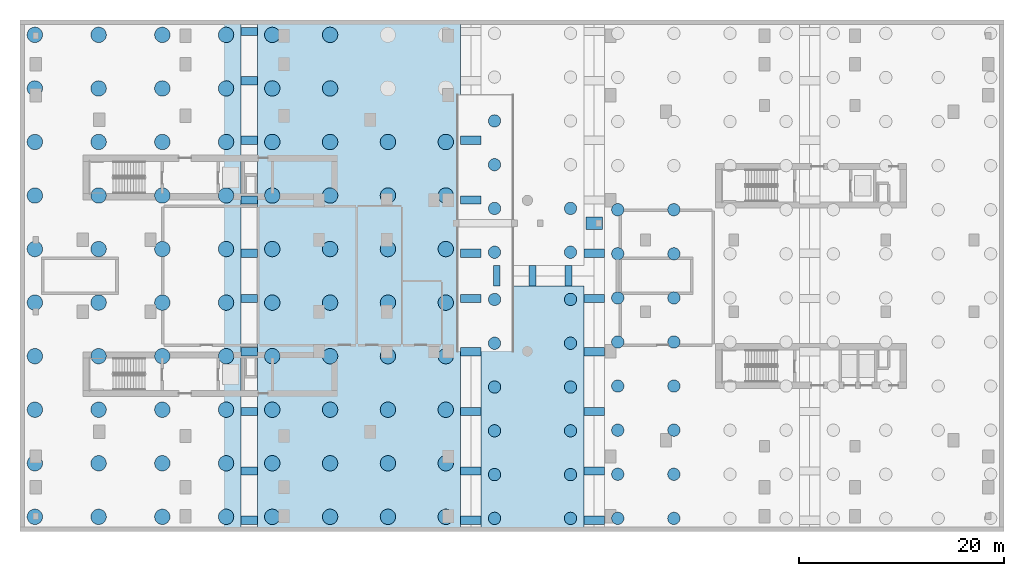
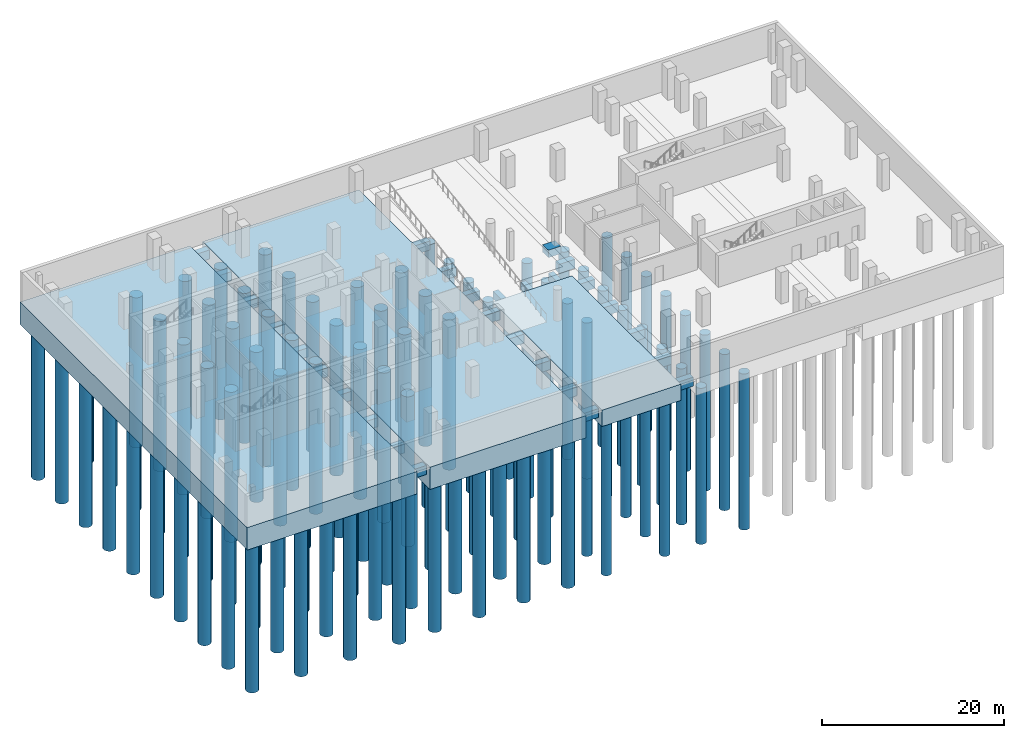
# One storey, part 1 of 14: 110 piles, 31 footings.
"""IFC4 building model written with IfcOpenShell, lengths in metres."""

from ifc_helpers import new_model, si_unit, derived_unit, direction, frame, origin, origin_2d, place, context, subcontext, project, spatial, polyline, circle, outline, extrude, material, material_profile, profile_set, type_object, element, save


model = new_model("IFC4")

# Units and contexts
model_context = context("Model", 3, precision=1e-05, world=origin(), true_north=direction((0.0, 1.0)))
body_context = subcontext(model_context, "Body", "Model", "MODEL_VIEW")
ifc_project = project(units=[si_unit("LENGTHUNIT", "METRE"), si_unit("AREAUNIT", "SQUARE_METRE"), si_unit("VOLUMEUNIT", "CUBIC_METRE"), si_unit("PLANEANGLEUNIT", "RADIAN"), si_unit("MASSUNIT", "GRAM", prefix="KILO"), derived_unit("THERMALTRANSMITTANCEUNIT", [(si_unit("POWERUNIT", "WATT"), 1), (si_unit("LENGTHUNIT", "METRE"), -2), (si_unit("THERMODYNAMICTEMPERATUREUNIT", "KELVIN"), -1)])], contexts=[model_context])

# Site, building, storey
site_placement = place(None, origin())
site = spatial("IfcSite", under=ifc_project, at=site_placement, CompositionType="ELEMENT")
building_placement = place(site_placement, origin())
building = spatial("IfcBuilding", under=site, at=building_placement, Name="Kivonza Crest Hotel", CompositionType="ELEMENT")
storey_placement = place(building_placement, frame((0.0, 0.0, -8.39990234375)))
storey = spatial("IfcBuildingStorey", under=building, at=storey_placement, Name="B2", CompositionType="ELEMENT", Elevation=-8.39990234375)

# Footings
ifc_material = material(Name="Concrete C40/50", Category="concrete")
footing_type_1 = type_object("IfcFootingType", Name="FT-CAP-2200", PredefinedType="PILE_CAP", material=ifc_material)
footing_1_placement = place(storey_placement, frame((0.0, 0.0, -2.2001953125)))
element("IfcFooting", 1, at=footing_1_placement, inside=storey, type_object=footing_type_1, Name="Podium South combined pile cap zone", PredefinedType="PILE_CAP", context=body_context, shape_type="SweptSolid", body=[
    extrude(outline(polyline([(45.0, 0.080078125), (55.0, 0.080078125), (55.0, 24.0), (45.0, 24.0), (45.0, 0.080078125)])), origin(), (0.0, 0.0, 1.0), 2.2001953125),
])
footing_type_2 = type_object("IfcFootingType", Name="FT-GB-650x1000", PredefinedType="FOOTING_BEAM", material=ifc_material)
footing_2_placement = place(storey_placement, frame((0.0, 0.0, -1.2001953125)))
element("IfcFooting", 2, at=footing_2_placement, inside=storey, type_object=footing_type_2, Name="Foundation ground tie beam GB-NS-41", PredefinedType="FOOTING_BEAM", context=body_context, shape_type="SweptSolid", body=[
    extrude(outline(polyline([(46.175048828125, 24.0), (46.824951171875, 24.0), (46.824951171875, 26.0), (46.175048828125, 26.0), (46.175048828125, 24.0)])), origin(), (0.0, 0.0, 1.0), 1.0),
])
footing_3_placement = place(storey_placement, frame((0.0, 0.0, -1.2001953125)))
element("IfcFooting", 3, at=footing_3_placement, inside=storey, type_object=footing_type_2, Name="Foundation ground tie beam GB-NS-42", PredefinedType="FOOTING_BEAM", context=body_context, shape_type="SweptSolid", body=[
    extrude(outline(polyline([(49.675048828125, 24.0), (50.324951171875, 24.0), (50.324951171875, 26.0), (49.675048828125, 26.0), (49.675048828125, 24.0)])), origin(), (0.0, 0.0, 1.0), 1.0),
])
footing_4_placement = place(storey_placement, frame((0.0, 0.0, -1.2001953125)))
element("IfcFooting", 4, at=footing_4_placement, inside=storey, type_object=footing_type_2, Name="Foundation ground tie beam GB-NS-43", PredefinedType="FOOTING_BEAM", context=body_context, shape_type="SweptSolid", body=[
    extrude(outline(polyline([(53.175048828125, 24.0), (53.824951171875, 24.0), (53.824951171875, 26.0), (53.175048828125, 26.0), (53.175048828125, 24.0)])), origin(), (0.0, 0.0, 1.0), 1.0),
])
footing_type_3 = type_object("IfcFootingType", Name="FT-GB-800x1200", PredefinedType="FOOTING_BEAM", material=ifc_material)
footing_5_placement = place(storey_placement, frame((0.0, 0.0, -1.400146484375)))
element("IfcFooting", 5, at=footing_5_placement, inside=storey, type_object=footing_type_3, Name="Foundation ground tie beam GB-EW-01", PredefinedType="FOOTING_BEAM", context=body_context, shape_type="SweptSolid", body=[
    extrude(outline(polyline([(21.60009765625, 0.800048828125), (23.199951171875, 0.800048828125), (23.199951171875, 1.60009765625), (21.60009765625, 1.60009765625), (21.60009765625, 0.800048828125)])), origin(), (0.0, 0.0, 1.0), 1.199951171875),
])
footing_6_placement = place(storey_placement, frame((0.0, 0.0, -1.400146484375)))
element("IfcFooting", 6, at=footing_6_placement, inside=storey, type_object=footing_type_3, Name="Foundation ground tie beam GB-EW-02", PredefinedType="FOOTING_BEAM", context=body_context, shape_type="SweptSolid", body=[
    extrude(outline(polyline([(21.60009765625, 5.60009765625), (23.199951171875, 5.60009765625), (23.199951171875, 6.39990234375), (21.60009765625, 6.39990234375), (21.60009765625, 5.60009765625)])), origin(), (0.0, 0.0, 1.0), 1.199951171875),
])
footing_7_placement = place(storey_placement, frame((0.0, 0.0, -1.400146484375)))
element("IfcFooting", 7, at=footing_7_placement, inside=storey, type_object=footing_type_3, Name="Foundation ground tie beam GB-EW-03", PredefinedType="FOOTING_BEAM", context=body_context, shape_type="SweptSolid", body=[
    extrude(outline(polyline([(21.60009765625, 11.39990234375), (23.199951171875, 11.39990234375), (23.199951171875, 12.199951171875), (21.60009765625, 12.199951171875), (21.60009765625, 11.39990234375)])), origin(), (0.0, 0.0, 1.0), 1.199951171875),
])
footing_8_placement = place(storey_placement, frame((0.0, 0.0, -1.400146484375)))
element("IfcFooting", 8, at=footing_8_placement, inside=storey, type_object=footing_type_3, Name="Foundation ground tie beam GB-EW-04", PredefinedType="FOOTING_BEAM", context=body_context, shape_type="SweptSolid", body=[
    extrude(outline(polyline([(21.60009765625, 17.199951171875), (23.199951171875, 17.199951171875), (23.199951171875, 18.0), (21.60009765625, 18.0), (21.60009765625, 17.199951171875)])), origin(), (0.0, 0.0, 1.0), 1.199951171875),
])
footing_9_placement = place(storey_placement, frame((0.0, 0.0, -1.400146484375)))
element("IfcFooting", 9, at=footing_9_placement, inside=storey, type_object=footing_type_3, Name="Foundation ground tie beam GB-EW-05", PredefinedType="FOOTING_BEAM", context=body_context, shape_type="SweptSolid", body=[
    extrude(outline(polyline([(21.60009765625, 22.39990234375), (23.199951171875, 22.39990234375), (23.199951171875, 23.199951171875), (21.60009765625, 23.199951171875), (21.60009765625, 22.39990234375)])), origin(), (0.0, 0.0, 1.0), 1.199951171875),
])
footing_10_placement = place(storey_placement, frame((0.0, 0.0, -1.400146484375)))
element("IfcFooting", 10, at=footing_10_placement, inside=storey, type_object=footing_type_3, Name="Foundation ground tie beam GB-EW-06", PredefinedType="FOOTING_BEAM", context=body_context, shape_type="SweptSolid", body=[
    extrude(outline(polyline([(21.60009765625, 26.800048828125), (23.199951171875, 26.800048828125), (23.199951171875, 27.60009765625), (21.60009765625, 27.60009765625), (21.60009765625, 26.800048828125)])), origin(), (0.0, 0.0, 1.0), 1.199951171875),
])
footing_11_placement = place(storey_placement, frame((0.0, 0.0, -1.400146484375)))
element("IfcFooting", 11, at=footing_11_placement, inside=storey, type_object=footing_type_3, Name="Foundation ground tie beam GB-EW-07", PredefinedType="FOOTING_BEAM", context=body_context, shape_type="SweptSolid", body=[
    extrude(outline(polyline([(21.60009765625, 32.0), (23.199951171875, 32.0), (23.199951171875, 32.800048828125), (21.60009765625, 32.800048828125), (21.60009765625, 32.0)])), origin(), (0.0, 0.0, 1.0), 1.199951171875),
])
footing_12_placement = place(storey_placement, frame((0.0, 0.0, -1.400146484375)))
element("IfcFooting", 12, at=footing_12_placement, inside=storey, type_object=footing_type_3, Name="Foundation ground tie beam GB-EW-08", PredefinedType="FOOTING_BEAM", context=body_context, shape_type="SweptSolid", body=[
    extrude(outline(polyline([(21.60009765625, 37.800048828125), (23.199951171875, 37.800048828125), (23.199951171875, 38.60009765625), (21.60009765625, 38.60009765625), (21.60009765625, 37.800048828125)])), origin(), (0.0, 0.0, 1.0), 1.199951171875),
])
footing_13_placement = place(storey_placement, frame((0.0, 0.0, -1.400146484375)))
element("IfcFooting", 13, at=footing_13_placement, inside=storey, type_object=footing_type_3, Name="Foundation ground tie beam GB-EW-09", PredefinedType="FOOTING_BEAM", context=body_context, shape_type="SweptSolid", body=[
    extrude(outline(polyline([(21.60009765625, 43.60009765625), (23.199951171875, 43.60009765625), (23.199951171875, 44.39990234375), (21.60009765625, 44.39990234375), (21.60009765625, 43.60009765625)])), origin(), (0.0, 0.0, 1.0), 1.199951171875),
])
footing_14_placement = place(storey_placement, frame((0.0, 0.0, -1.400146484375)))
element("IfcFooting", 14, at=footing_14_placement, inside=storey, type_object=footing_type_3, Name="Foundation ground tie beam GB-EW-10", PredefinedType="FOOTING_BEAM", context=body_context, shape_type="SweptSolid", body=[
    extrude(outline(polyline([(21.60009765625, 48.39990234375), (23.199951171875, 48.39990234375), (23.199951171875, 49.199951171875), (21.60009765625, 49.199951171875), (21.60009765625, 48.39990234375)])), origin(), (0.0, 0.0, 1.0), 1.199951171875),
])
footing_15_placement = place(storey_placement, frame((0.0, 0.0, -1.400146484375)))
element("IfcFooting", 15, at=footing_15_placement, inside=storey, type_object=footing_type_3, Name="Foundation ground tie beam GB-EW-11", PredefinedType="FOOTING_BEAM", context=body_context, shape_type="SweptSolid", body=[
    extrude(outline(polyline([(43.0, 0.800048828125), (45.0, 0.800048828125), (45.0, 1.60009765625), (43.0, 1.60009765625), (43.0, 0.800048828125)])), origin(), (0.0, 0.0, 1.0), 1.199951171875),
])
footing_16_placement = place(storey_placement, frame((0.0, 0.0, -1.400146484375)))
element("IfcFooting", 16, at=footing_16_placement, inside=storey, type_object=footing_type_3, Name="Foundation ground tie beam GB-EW-12", PredefinedType="FOOTING_BEAM", context=body_context, shape_type="SweptSolid", body=[
    extrude(outline(polyline([(43.0, 5.60009765625), (45.0, 5.60009765625), (45.0, 6.39990234375), (43.0, 6.39990234375), (43.0, 5.60009765625)])), origin(), (0.0, 0.0, 1.0), 1.199951171875),
])
footing_17_placement = place(storey_placement, frame((0.0, 0.0, -1.400146484375)))
element("IfcFooting", 17, at=footing_17_placement, inside=storey, type_object=footing_type_3, Name="Foundation ground tie beam GB-EW-13", PredefinedType="FOOTING_BEAM", context=body_context, shape_type="SweptSolid", body=[
    extrude(outline(polyline([(43.0, 11.39990234375), (45.0, 11.39990234375), (45.0, 12.199951171875), (43.0, 12.199951171875), (43.0, 11.39990234375)])), origin(), (0.0, 0.0, 1.0), 1.199951171875),
])
footing_18_placement = place(storey_placement, frame((0.0, 0.0, -1.400146484375)))
element("IfcFooting", 18, at=footing_18_placement, inside=storey, type_object=footing_type_3, Name="Foundation ground tie beam GB-EW-14", PredefinedType="FOOTING_BEAM", context=body_context, shape_type="SweptSolid", body=[
    extrude(outline(polyline([(43.0, 17.199951171875), (45.0, 17.199951171875), (45.0, 18.0), (43.0, 18.0), (43.0, 17.199951171875)])), origin(), (0.0, 0.0, 1.0), 1.199951171875),
])
footing_19_placement = place(storey_placement, frame((0.0, 0.0, -1.400146484375)))
element("IfcFooting", 19, at=footing_19_placement, inside=storey, type_object=footing_type_3, Name="Foundation ground tie beam GB-EW-15", PredefinedType="FOOTING_BEAM", context=body_context, shape_type="SweptSolid", body=[
    extrude(outline(polyline([(43.0, 22.39990234375), (45.0, 22.39990234375), (45.0, 23.199951171875), (43.0, 23.199951171875), (43.0, 22.39990234375)])), origin(), (0.0, 0.0, 1.0), 1.199951171875),
])
footing_20_placement = place(storey_placement, frame((0.0, 0.0, -1.400146484375)))
element("IfcFooting", 20, at=footing_20_placement, inside=storey, type_object=footing_type_3, Name="Foundation ground tie beam GB-EW-16", PredefinedType="FOOTING_BEAM", context=body_context, shape_type="SweptSolid", body=[
    extrude(outline(polyline([(43.0, 26.800048828125), (45.0, 26.800048828125), (45.0, 27.60009765625), (43.0, 27.60009765625), (43.0, 26.800048828125)])), origin(), (0.0, 0.0, 1.0), 1.199951171875),
])
footing_21_placement = place(storey_placement, frame((0.0, 0.0, -1.400146484375)))
element("IfcFooting", 21, at=footing_21_placement, inside=storey, type_object=footing_type_3, Name="Foundation ground tie beam GB-EW-17", PredefinedType="FOOTING_BEAM", context=body_context, shape_type="SweptSolid", body=[
    extrude(outline(polyline([(43.0, 32.0), (45.0, 32.0), (45.0, 32.800048828125), (43.0, 32.800048828125), (43.0, 32.0)])), origin(), (0.0, 0.0, 1.0), 1.199951171875),
])
footing_22_placement = place(storey_placement, frame((0.0, 0.0, -1.400146484375)))
element("IfcFooting", 22, at=footing_22_placement, inside=storey, type_object=footing_type_3, Name="Foundation ground tie beam GB-EW-18", PredefinedType="FOOTING_BEAM", context=body_context, shape_type="SweptSolid", body=[
    extrude(outline(polyline([(43.0, 37.800048828125), (45.0, 37.800048828125), (45.0, 38.60009765625), (43.0, 38.60009765625), (43.0, 37.800048828125)])), origin(), (0.0, 0.0, 1.0), 1.199951171875),
])
footing_23_placement = place(storey_placement, frame((0.0, 0.0, -1.400146484375)))
element("IfcFooting", 23, at=footing_23_placement, inside=storey, type_object=footing_type_3, Name="Foundation ground tie beam GB-EW-21", PredefinedType="FOOTING_BEAM", context=body_context, shape_type="SweptSolid", body=[
    extrude(outline(polyline([(55.0, 0.800048828125), (57.0, 0.800048828125), (57.0, 1.60009765625), (55.0, 1.60009765625), (55.0, 0.800048828125)])), origin(), (0.0, 0.0, 1.0), 1.199951171875),
])
footing_24_placement = place(storey_placement, frame((0.0, 0.0, -1.400146484375)))
element("IfcFooting", 24, at=footing_24_placement, inside=storey, type_object=footing_type_3, Name="Foundation ground tie beam GB-EW-22", PredefinedType="FOOTING_BEAM", context=body_context, shape_type="SweptSolid", body=[
    extrude(outline(polyline([(55.0, 5.60009765625), (57.0, 5.60009765625), (57.0, 6.39990234375), (55.0, 6.39990234375), (55.0, 5.60009765625)])), origin(), (0.0, 0.0, 1.0), 1.199951171875),
])
footing_25_placement = place(storey_placement, frame((0.0, 0.0, -1.400146484375)))
element("IfcFooting", 25, at=footing_25_placement, inside=storey, type_object=footing_type_3, Name="Foundation ground tie beam GB-EW-23", PredefinedType="FOOTING_BEAM", context=body_context, shape_type="SweptSolid", body=[
    extrude(outline(polyline([(55.0, 11.39990234375), (57.0, 11.39990234375), (57.0, 12.199951171875), (55.0, 12.199951171875), (55.0, 11.39990234375)])), origin(), (0.0, 0.0, 1.0), 1.199951171875),
])
footing_26_placement = place(storey_placement, frame((0.0, 0.0, -1.400146484375)))
element("IfcFooting", 26, at=footing_26_placement, inside=storey, type_object=footing_type_3, Name="Foundation ground tie beam GB-EW-24", PredefinedType="FOOTING_BEAM", context=body_context, shape_type="SweptSolid", body=[
    extrude(outline(polyline([(55.0, 17.199951171875), (57.0, 17.199951171875), (57.0, 18.0), (55.0, 18.0), (55.0, 17.199951171875)])), origin(), (0.0, 0.0, 1.0), 1.199951171875),
])
footing_27_placement = place(storey_placement, frame((0.0, 0.0, -1.400146484375)))
element("IfcFooting", 27, at=footing_27_placement, inside=storey, type_object=footing_type_3, Name="Foundation ground tie beam GB-EW-25", PredefinedType="FOOTING_BEAM", context=body_context, shape_type="SweptSolid", body=[
    extrude(outline(polyline([(55.0, 22.39990234375), (57.0, 22.39990234375), (57.0, 23.199951171875), (55.0, 23.199951171875), (55.0, 22.39990234375)])), origin(), (0.0, 0.0, 1.0), 1.199951171875),
])
footing_28_placement = place(storey_placement, frame((0.0, 0.0, -1.400146484375)))
element("IfcFooting", 28, at=footing_28_placement, inside=storey, type_object=footing_type_3, Name="Foundation ground tie beam GB-EW-26", PredefinedType="FOOTING_BEAM", context=body_context, shape_type="SweptSolid", body=[
    extrude(outline(polyline([(55.0, 26.800048828125), (57.0, 26.800048828125), (57.0, 27.60009765625), (55.0, 27.60009765625), (55.0, 26.800048828125)])), origin(), (0.0, 0.0, 1.0), 1.199951171875),
])
footing_type_4 = type_object("IfcFootingType", Name="FT-PAD-1200", PredefinedType="PAD_FOOTING", material=ifc_material)
footing_29_placement = place(storey_placement, frame((0.0, 0.0, -1.0)))
element("IfcFooting", 29, at=footing_29_placement, inside=storey, type_object=footing_type_4, Name="Car park ramp east pier pad footing", PredefinedType="PAD_FOOTING", context=body_context, shape_type="SweptSolid", body=[
    extrude(outline(polyline([(55.199951171875, 29.5), (56.800048828125, 29.5), (56.800048828125, 30.75), (55.199951171875, 30.75), (55.199951171875, 29.5)])), origin(), (0.0, 0.0, 1.0), 1.0),
])
footing_type_5 = type_object("IfcFootingType", Name="FT-RAFT-3000", PredefinedType="PILE_CAP", material=ifc_material)
footing_30_placement = place(storey_placement, frame((0.0, 0.0, -3.0)))
element("IfcFooting", 30, at=footing_30_placement, inside=storey, type_object=footing_type_5, Name="T1 West piled raft foundation zone", PredefinedType="PILE_CAP", context=body_context, shape_type="SweptSolid", body=[
    extrude(outline(polyline([(0.080078125, 0.080078125), (21.60009765625, 0.080078125), (21.60009765625, 49.919921875), (0.080078125, 49.919921875), (0.080078125, 0.080078125)])), origin(), (0.0, 0.0, 1.0), 3.0),
])
footing_31_placement = place(storey_placement, frame((0.0, 0.0, -3.0)))
element("IfcFooting", 31, at=footing_31_placement, inside=storey, type_object=footing_type_5, Name="T1 East piled raft foundation zone", PredefinedType="PILE_CAP", context=body_context, shape_type="SweptSolid", body=[
    extrude(outline(polyline([(23.199951171875, 0.080078125), (43.0, 0.080078125), (43.0, 49.919921875), (23.199951171875, 49.919921875), (23.199951171875, 0.080078125)])), origin(), (0.0, 0.0, 1.0), 3.0),
])

# Piles
ifc_material_profile_1 = material_profile(ifc_material, circle(Radius=0.60009765625, at=origin_2d()), Name="PILE D1200")
ifc_profile_set_1 = profile_set([ifc_material_profile_1], Name="Concrete C40/50")
pile_type_1 = type_object("IfcPileType", Name="PL-BORED-1200", PredefinedType="BORED", material=ifc_profile_set_1)
for number, where, z_axis, x_axis, name in (
    (32, (46.300048828125, 1.3798828125, -2.10009765625), (0.0, 0.0, -1.0), (1.0, 0.0, 0.0), "Bored pile PL-MIDS-001 under FT-B2-MIDS"),
    (33, (46.300048828125, 5.64404296875, -2.10009765625), (0.0, 0.0, -1.0), (1.0, 0.0, 0.0), "Bored pile PL-MIDS-002 under FT-B2-MIDS"),
    (34, (46.300048828125, 9.907958984375, -2.10009765625), (0.0, 0.0, -1.0), (1.0, 0.0, 0.0), "Bored pile PL-MIDS-003 under FT-B2-MIDS"),
    (35, (46.300048828125, 14.172119140625, -2.10009765625), (0.0, 0.0, -1.0), (1.0, 0.0, 0.0), "Bored pile PL-MIDS-004 under FT-B2-MIDS"),
    (36, (46.300048828125, 18.43603515625, -2.10009765625), (0.0, 0.0, -1.0), (1.0, 0.0, 0.0), "Bored pile PL-MIDS-005 under FT-B2-MIDS"),
    (37, (46.300048828125, 22.699951171875, -2.10009765625), (0.0, 0.0, -1.0), (1.0, 0.0, 0.0), "Bored pile PL-MIDS-006 under FT-B2-MIDS"),
    (38, (53.699951171875, 1.3798828125, -2.10009765625), (0.0, 0.0, -1.0), (1.0, 0.0, 0.0), "Bored pile PL-MIDS-007 under FT-B2-MIDS"),
    (39, (53.699951171875, 5.64404296875, -2.10009765625), (0.0, 0.0, -1.0), (1.0, 0.0, 0.0), "Bored pile PL-MIDS-008 under FT-B2-MIDS"),
    (40, (53.699951171875, 9.907958984375, -2.10009765625), (0.0, 0.0, -1.0), (1.0, 0.0, 0.0), "Bored pile PL-MIDS-009 under FT-B2-MIDS"),
    (41, (53.699951171875, 14.172119140625, -2.10009765625), (0.0, 0.0, -1.0), (1.0, 0.0, 0.0), "Bored pile PL-MIDS-010 under FT-B2-MIDS"),
    (42, (53.699951171875, 18.43603515625, -2.10009765625), (0.0, 0.0, -1.0), (1.0, 0.0, 0.0), "Bored pile PL-MIDS-011 under FT-B2-MIDS"),
    (43, (53.699951171875, 22.699951171875, -2.10009765625), (0.0, 0.0, -1.0), (1.0, 0.0, 0.0), "Bored pile PL-MIDS-012 under FT-B2-MIDS"),
    (44, (46.300048828125, 27.300048828125, -2.10009765625), (0.0, 0.0, -1.0), (1.0, 0.0, 0.0), "Bored pile PL-MIDN-001 under FT-B2-MIDN"),
    (45, (46.300048828125, 31.56396484375, -2.10009765625), (0.0, 0.0, -1.0), (1.0, 0.0, 0.0), "Bored pile PL-MIDN-002 under FT-B2-MIDN"),
    (46, (46.300048828125, 35.827880859375, -2.10009765625), (0.0, 0.0, -1.0), (1.0, 0.0, 0.0), "Bored pile PL-MIDN-003 under FT-B2-MIDN"),
    (47, (46.300048828125, 40.092041015625, -2.10009765625), (0.0, 0.0, -1.0), (1.0, 0.0, 0.0), "Bored pile PL-MIDN-004 under FT-B2-MIDN"),
    (48, (53.699951171875, 27.300048828125, -2.10009765625), (0.0, 0.0, -1.0), (1.0, 0.0, 0.0), "Bored pile PL-MIDN-007 under FT-B2-MIDN"),
    (49, (53.699951171875, 31.56396484375, -2.10009765625), (0.0, 0.0, -1.0), (1.0, 0.0, 0.0), "Bored pile PL-MIDN-008 under FT-B2-MIDN"),
    (50, (58.300048828125, 1.3798828125, -2.10009765625), (0.0, 0.0, -1.0), (1.0, 0.0, 0.0), "Bored pile PL-T2W-001 under FT-B2-T2W"),
    (51, (58.300048828125, 5.675048828125, -2.10009765625), (0.0, 0.0, -1.0), (1.0, 0.0, 0.0), "Bored pile PL-T2W-002 under FT-B2-T2W"),
    (52, (58.300048828125, 9.968994140625, -2.10009765625), (0.0, 0.0, -1.0), (1.0, 0.0, 0.0), "Bored pile PL-T2W-003 under FT-B2-T2W"),
    (53, (58.300048828125, 14.263916015625, -2.10009765625), (0.0, 0.0, -1.0), (1.0, 0.0, 0.0), "Bored pile PL-T2W-004 under FT-B2-T2W"),
    (54, (58.300048828125, 18.55810546875, -2.10009765625), (0.0, 0.0, -1.0), (1.0, 0.0, 0.0), "Bored pile PL-T2W-005 under FT-B2-T2W"),
    (55, (58.300048828125, 22.85302734375, -2.10009765625), (0.0, 0.0, -1.0), (1.0, 0.0, 0.0), "Bored pile PL-T2W-006 under FT-B2-T2W"),
    (56, (58.300048828125, 27.14697265625, -2.10009765625), (0.0, 0.0, -1.0), (1.0, 0.0, 0.0), "Bored pile PL-T2W-007 under FT-B2-T2W"),
    (57, (58.300048828125, 31.44189453125, -2.10009765625), (0.0, 0.0, -1.0), (1.0, 0.0, 0.0), "Bored pile PL-T2W-008 under FT-B2-T2W"),
    (58, (63.76708984375, 1.3798828125, -2.10009765625), (0.0, 0.0, -1.0), (1.0, 0.0, 0.0), "Bored pile PL-T2W-013 under FT-B2-T2W"),
    (59, (63.76708984375, 5.675048828125, -2.10009765625), (0.0, 0.0, -1.0), (1.0, 0.0, 0.0), "Bored pile PL-T2W-014 under FT-B2-T2W"),
    (60, (63.76708984375, 9.968994140625, -2.10009765625), (0.0, 0.0, -1.0), (1.0, 0.0, 0.0), "Bored pile PL-T2W-015 under FT-B2-T2W"),
    (61, (63.76708984375, 14.263916015625, -2.10009765625), (0.0, 0.0, -1.0), (1.0, 0.0, 0.0), "Bored pile PL-T2W-016 under FT-B2-T2W"),
    (62, (63.76708984375, 18.55810546875, -2.10009765625), (0.0, 0.0, -1.0), (1.0, 0.0, 0.0), "Bored pile PL-T2W-017 under FT-B2-T2W"),
    (63, (63.76708984375, 22.85302734375, -2.10009765625), (0.0, 0.0, -1.0), (1.0, 0.0, 0.0), "Bored pile PL-T2W-018 under FT-B2-T2W"),
    (64, (63.76708984375, 27.14697265625, -2.10009765625), (0.0, 0.0, -1.0), (1.0, 0.0, 0.0), "Bored pile PL-T2W-019 under FT-B2-T2W"),
    (65, (63.76708984375, 31.44189453125, -2.10009765625), (0.0, 0.0, -1.0), (1.0, 0.0, 0.0), "Bored pile PL-T2W-020 under FT-B2-T2W"),
):
    element("IfcPile", number, at=place(storey_placement, frame(where, z_axis=z_axis, x_axis=x_axis)), inside=storey, type_object=pile_type_1, Name=name, PredefinedType="BORED", context=body_context, shape_type="SweptSolid", body=[
        extrude(circle(Radius=0.60009765625, at=origin_2d()), origin(), (0.0, 0.0, 1.0), 20.89990234375),
    ])
ifc_material_profile_2 = material_profile(ifc_material, circle(Radius=0.75, at=origin_2d()), Name="PILE D1500")
ifc_profile_set_2 = profile_set([ifc_material_profile_2], Name="Concrete C40/50")
pile_type_2 = type_object("IfcPileType", Name="PL-BORED-1500", PredefinedType="BORED", material=ifc_profile_set_2)
for number, where, z_axis, x_axis, name in (
    (66, (1.530029296875, 1.530029296875, -2.900146484375), (0.0, 0.0, -1.0), (1.0, 0.0, 0.0), "Bored pile PL-T1W-001 under FT-B2-T1W"),
    (67, (1.530029296875, 6.74609375, -2.900146484375), (0.0, 0.0, -1.0), (1.0, 0.0, 0.0), "Bored pile PL-T1W-002 under FT-B2-T1W"),
    (68, (1.530029296875, 11.9609375, -2.900146484375), (0.0, 0.0, -1.0), (1.0, 0.0, 0.0), "Bored pile PL-T1W-003 under FT-B2-T1W"),
    (69, (1.530029296875, 17.177001953125, -2.900146484375), (0.0, 0.0, -1.0), (1.0, 0.0, 0.0), "Bored pile PL-T1W-004 under FT-B2-T1W"),
    (70, (1.530029296875, 22.39208984375, -2.900146484375), (0.0, 0.0, -1.0), (1.0, 0.0, 0.0), "Bored pile PL-T1W-005 under FT-B2-T1W"),
    (71, (1.530029296875, 27.60791015625, -2.900146484375), (0.0, 0.0, -1.0), (1.0, 0.0, 0.0), "Bored pile PL-T1W-006 under FT-B2-T1W"),
    (72, (1.530029296875, 32.822998046875, -2.900146484375), (0.0, 0.0, -1.0), (1.0, 0.0, 0.0), "Bored pile PL-T1W-007 under FT-B2-T1W"),
    (73, (1.530029296875, 38.0390625, -2.900146484375), (0.0, 0.0, -1.0), (1.0, 0.0, 0.0), "Bored pile PL-T1W-008 under FT-B2-T1W"),
    (74, (1.530029296875, 43.25390625, -2.900146484375), (0.0, 0.0, -1.0), (1.0, 0.0, 0.0), "Bored pile PL-T1W-009 under FT-B2-T1W"),
    (75, (1.530029296875, 48.469970703125, -2.900146484375), (0.0, 0.0, -1.0), (1.0, 0.0, 0.0), "Bored pile PL-T1W-010 under FT-B2-T1W"),
    (76, (7.737060546875, 1.530029296875, -2.900146484375), (0.0, 0.0, -1.0), (1.0, 0.0, 0.0), "Bored pile PL-T1W-011 under FT-B2-T1W"),
    (77, (7.737060546875, 6.74609375, -2.900146484375), (0.0, 0.0, -1.0), (1.0, 0.0, 0.0), "Bored pile PL-T1W-012 under FT-B2-T1W"),
    (78, (7.737060546875, 11.9609375, -2.900146484375), (0.0, 0.0, -1.0), (1.0, 0.0, 0.0), "Bored pile PL-T1W-013 under FT-B2-T1W"),
    (79, (7.737060546875, 17.177001953125, -2.900146484375), (0.0, 0.0, -1.0), (1.0, 0.0, 0.0), "Bored pile PL-T1W-014 under FT-B2-T1W"),
    (80, (7.737060546875, 22.39208984375, -2.900146484375), (0.0, 0.0, -1.0), (1.0, 0.0, 0.0), "Bored pile PL-T1W-015 under FT-B2-T1W"),
    (81, (7.737060546875, 27.60791015625, -2.900146484375), (0.0, 0.0, -1.0), (1.0, 0.0, 0.0), "Bored pile PL-T1W-016 under FT-B2-T1W"),
    (82, (7.737060546875, 32.822998046875, -2.900146484375), (0.0, 0.0, -1.0), (1.0, 0.0, 0.0), "Bored pile PL-T1W-017 under FT-B2-T1W"),
    (83, (7.737060546875, 38.0390625, -2.900146484375), (0.0, 0.0, -1.0), (1.0, 0.0, 0.0), "Bored pile PL-T1W-018 under FT-B2-T1W"),
    (84, (7.737060546875, 43.25390625, -2.900146484375), (0.0, 0.0, -1.0), (1.0, 0.0, 0.0), "Bored pile PL-T1W-019 under FT-B2-T1W"),
    (85, (7.737060546875, 48.469970703125, -2.900146484375), (0.0, 0.0, -1.0), (1.0, 0.0, 0.0), "Bored pile PL-T1W-020 under FT-B2-T1W"),
    (86, (13.943115234375, 1.530029296875, -2.900146484375), (0.0, 0.0, -1.0), (1.0, 0.0, 0.0), "Bored pile PL-T1W-021 under FT-B2-T1W"),
    (87, (13.943115234375, 6.74609375, -2.900146484375), (0.0, 0.0, -1.0), (1.0, 0.0, 0.0), "Bored pile PL-T1W-022 under FT-B2-T1W"),
    (88, (13.943115234375, 11.9609375, -2.900146484375), (0.0, 0.0, -1.0), (1.0, 0.0, 0.0), "Bored pile PL-T1W-023 under FT-B2-T1W"),
    (89, (13.943115234375, 17.177001953125, -2.900146484375), (0.0, 0.0, -1.0), (1.0, 0.0, 0.0), "Bored pile PL-T1W-024 under FT-B2-T1W"),
    (90, (13.943115234375, 22.39208984375, -2.900146484375), (0.0, 0.0, -1.0), (1.0, 0.0, 0.0), "Bored pile PL-T1W-025 under FT-B2-T1W"),
    (91, (13.943115234375, 27.60791015625, -2.900146484375), (0.0, 0.0, -1.0), (1.0, 0.0, 0.0), "Bored pile PL-T1W-026 under FT-B2-T1W"),
    (92, (13.943115234375, 32.822998046875, -2.900146484375), (0.0, 0.0, -1.0), (1.0, 0.0, 0.0), "Bored pile PL-T1W-027 under FT-B2-T1W"),
    (93, (13.943115234375, 38.0390625, -2.900146484375), (0.0, 0.0, -1.0), (1.0, 0.0, 0.0), "Bored pile PL-T1W-028 under FT-B2-T1W"),
    (94, (13.943115234375, 43.25390625, -2.900146484375), (0.0, 0.0, -1.0), (1.0, 0.0, 0.0), "Bored pile PL-T1W-029 under FT-B2-T1W"),
    (95, (13.943115234375, 48.469970703125, -2.900146484375), (0.0, 0.0, -1.0), (1.0, 0.0, 0.0), "Bored pile PL-T1W-030 under FT-B2-T1W"),
    (96, (20.14990234375, 1.530029296875, -2.900146484375), (0.0, 0.0, -1.0), (1.0, 0.0, 0.0), "Bored pile PL-T1W-031 under FT-B2-T1W"),
    (97, (20.14990234375, 6.74609375, -2.900146484375), (0.0, 0.0, -1.0), (1.0, 0.0, 0.0), "Bored pile PL-T1W-032 under FT-B2-T1W"),
    (98, (20.14990234375, 11.9609375, -2.900146484375), (0.0, 0.0, -1.0), (1.0, 0.0, 0.0), "Bored pile PL-T1W-033 under FT-B2-T1W"),
    (99, (20.14990234375, 17.177001953125, -2.900146484375), (0.0, 0.0, -1.0), (1.0, 0.0, 0.0), "Bored pile PL-T1W-034 under FT-B2-T1W"),
    (100, (20.14990234375, 22.39208984375, -2.900146484375), (0.0, 0.0, -1.0), (1.0, 0.0, 0.0), "Bored pile PL-T1W-035 under FT-B2-T1W"),
    (101, (20.14990234375, 27.60791015625, -2.900146484375), (0.0, 0.0, -1.0), (1.0, 0.0, 0.0), "Bored pile PL-T1W-036 under FT-B2-T1W"),
    (102, (20.14990234375, 32.822998046875, -2.900146484375), (0.0, 0.0, -1.0), (1.0, 0.0, 0.0), "Bored pile PL-T1W-037 under FT-B2-T1W"),
    (103, (20.14990234375, 38.0390625, -2.900146484375), (0.0, 0.0, -1.0), (1.0, 0.0, 0.0), "Bored pile PL-T1W-038 under FT-B2-T1W"),
    (104, (20.14990234375, 43.25390625, -2.900146484375), (0.0, 0.0, -1.0), (1.0, 0.0, 0.0), "Bored pile PL-T1W-039 under FT-B2-T1W"),
    (105, (20.14990234375, 48.469970703125, -2.900146484375), (0.0, 0.0, -1.0), (1.0, 0.0, 0.0), "Bored pile PL-T1W-040 under FT-B2-T1W"),
    (106, (24.64990234375, 1.530029296875, -2.900146484375), (0.0, 0.0, -1.0), (1.0, 0.0, 0.0), "Bored pile PL-T1E-001 under FT-B2-T1E"),
    (107, (24.64990234375, 6.74609375, -2.900146484375), (0.0, 0.0, -1.0), (1.0, 0.0, 0.0), "Bored pile PL-T1E-002 under FT-B2-T1E"),
    (108, (24.64990234375, 11.9609375, -2.900146484375), (0.0, 0.0, -1.0), (1.0, 0.0, 0.0), "Bored pile PL-T1E-003 under FT-B2-T1E"),
    (109, (24.64990234375, 17.177001953125, -2.900146484375), (0.0, 0.0, -1.0), (1.0, 0.0, 0.0), "Bored pile PL-T1E-004 under FT-B2-T1E"),
    (110, (24.64990234375, 22.39208984375, -2.900146484375), (0.0, 0.0, -1.0), (1.0, 0.0, 0.0), "Bored pile PL-T1E-005 under FT-B2-T1E"),
    (111, (24.64990234375, 27.60791015625, -2.900146484375), (0.0, 0.0, -1.0), (1.0, 0.0, 0.0), "Bored pile PL-T1E-006 under FT-B2-T1E"),
    (112, (24.64990234375, 32.822998046875, -2.900146484375), (0.0, 0.0, -1.0), (1.0, 0.0, 0.0), "Bored pile PL-T1E-007 under FT-B2-T1E"),
    (113, (24.64990234375, 38.0390625, -2.900146484375), (0.0, 0.0, -1.0), (1.0, 0.0, 0.0), "Bored pile PL-T1E-008 under FT-B2-T1E"),
    (114, (24.64990234375, 43.25390625, -2.900146484375), (0.0, 0.0, -1.0), (1.0, 0.0, 0.0), "Bored pile PL-T1E-009 under FT-B2-T1E"),
    (115, (24.64990234375, 48.469970703125, -2.900146484375), (0.0, 0.0, -1.0), (1.0, 0.0, 0.0), "Bored pile PL-T1E-010 under FT-B2-T1E"),
    (116, (30.282958984375, 1.530029296875, -2.900146484375), (0.0, 0.0, -1.0), (1.0, 0.0, 0.0), "Bored pile PL-T1E-011 under FT-B2-T1E"),
    (117, (30.282958984375, 6.74609375, -2.900146484375), (0.0, 0.0, -1.0), (1.0, 0.0, 0.0), "Bored pile PL-T1E-012 under FT-B2-T1E"),
    (118, (30.282958984375, 11.9609375, -2.900146484375), (0.0, 0.0, -1.0), (1.0, 0.0, 0.0), "Bored pile PL-T1E-013 under FT-B2-T1E"),
    (119, (30.282958984375, 17.177001953125, -2.900146484375), (0.0, 0.0, -1.0), (1.0, 0.0, 0.0), "Bored pile PL-T1E-014 under FT-B2-T1E"),
    (120, (30.282958984375, 22.39208984375, -2.900146484375), (0.0, 0.0, -1.0), (1.0, 0.0, 0.0), "Bored pile PL-T1E-015 under FT-B2-T1E"),
    (121, (30.282958984375, 27.60791015625, -2.900146484375), (0.0, 0.0, -1.0), (1.0, 0.0, 0.0), "Bored pile PL-T1E-016 under FT-B2-T1E"),
    (122, (30.282958984375, 32.822998046875, -2.900146484375), (0.0, 0.0, -1.0), (1.0, 0.0, 0.0), "Bored pile PL-T1E-017 under FT-B2-T1E"),
    (123, (30.282958984375, 38.0390625, -2.900146484375), (0.0, 0.0, -1.0), (1.0, 0.0, 0.0), "Bored pile PL-T1E-018 under FT-B2-T1E"),
    (124, (30.282958984375, 43.25390625, -2.900146484375), (0.0, 0.0, -1.0), (1.0, 0.0, 0.0), "Bored pile PL-T1E-019 under FT-B2-T1E"),
    (125, (30.282958984375, 48.469970703125, -2.900146484375), (0.0, 0.0, -1.0), (1.0, 0.0, 0.0), "Bored pile PL-T1E-020 under FT-B2-T1E"),
    (126, (35.9169921875, 1.530029296875, -2.900146484375), (0.0, 0.0, -1.0), (1.0, 0.0, 0.0), "Bored pile PL-T1E-021 under FT-B2-T1E"),
    (127, (35.9169921875, 6.74609375, -2.900146484375), (0.0, 0.0, -1.0), (1.0, 0.0, 0.0), "Bored pile PL-T1E-022 under FT-B2-T1E"),
    (128, (35.9169921875, 11.9609375, -2.900146484375), (0.0, 0.0, -1.0), (1.0, 0.0, 0.0), "Bored pile PL-T1E-023 under FT-B2-T1E"),
    (129, (35.9169921875, 17.177001953125, -2.900146484375), (0.0, 0.0, -1.0), (1.0, 0.0, 0.0), "Bored pile PL-T1E-024 under FT-B2-T1E"),
    (130, (35.9169921875, 22.39208984375, -2.900146484375), (0.0, 0.0, -1.0), (1.0, 0.0, 0.0), "Bored pile PL-T1E-025 under FT-B2-T1E"),
    (131, (35.9169921875, 27.60791015625, -2.900146484375), (0.0, 0.0, -1.0), (1.0, 0.0, 0.0), "Bored pile PL-T1E-026 under FT-B2-T1E"),
    (132, (35.9169921875, 32.822998046875, -2.900146484375), (0.0, 0.0, -1.0), (1.0, 0.0, 0.0), "Bored pile PL-T1E-027 under FT-B2-T1E"),
    (133, (35.9169921875, 38.0390625, -2.900146484375), (0.0, 0.0, -1.0), (1.0, 0.0, 0.0), "Bored pile PL-T1E-028 under FT-B2-T1E"),
    (134, (41.550048828125, 1.530029296875, -2.900146484375), (0.0, 0.0, -1.0), (1.0, 0.0, 0.0), "Bored pile PL-T1E-031 under FT-B2-T1E"),
    (135, (41.550048828125, 6.74609375, -2.900146484375), (0.0, 0.0, -1.0), (1.0, 0.0, 0.0), "Bored pile PL-T1E-032 under FT-B2-T1E"),
    (136, (41.550048828125, 11.9609375, -2.900146484375), (0.0, 0.0, -1.0), (1.0, 0.0, 0.0), "Bored pile PL-T1E-033 under FT-B2-T1E"),
    (137, (41.550048828125, 17.177001953125, -2.900146484375), (0.0, 0.0, -1.0), (1.0, 0.0, 0.0), "Bored pile PL-T1E-034 under FT-B2-T1E"),
    (138, (41.550048828125, 22.39208984375, -2.900146484375), (0.0, 0.0, -1.0), (1.0, 0.0, 0.0), "Bored pile PL-T1E-035 under FT-B2-T1E"),
    (139, (41.550048828125, 27.60791015625, -2.900146484375), (0.0, 0.0, -1.0), (1.0, 0.0, 0.0), "Bored pile PL-T1E-036 under FT-B2-T1E"),
    (140, (41.550048828125, 32.822998046875, -2.900146484375), (0.0, 0.0, -1.0), (1.0, 0.0, 0.0), "Bored pile PL-T1E-037 under FT-B2-T1E"),
    (141, (41.550048828125, 38.0390625, -2.900146484375), (0.0, 0.0, -1.0), (1.0, 0.0, 0.0), "Bored pile PL-T1E-038 under FT-B2-T1E"),
):
    element("IfcPile", number, at=place(storey_placement, frame(where, z_axis=z_axis, x_axis=x_axis)), inside=storey, type_object=pile_type_2, Name=name, PredefinedType="BORED", context=body_context, shape_type="SweptSolid", body=[
        extrude(circle(Radius=0.75, at=origin_2d()), origin(), (0.0, 0.0, 1.0), 20.10009765625),
    ])

save(model, "model.ifc")
